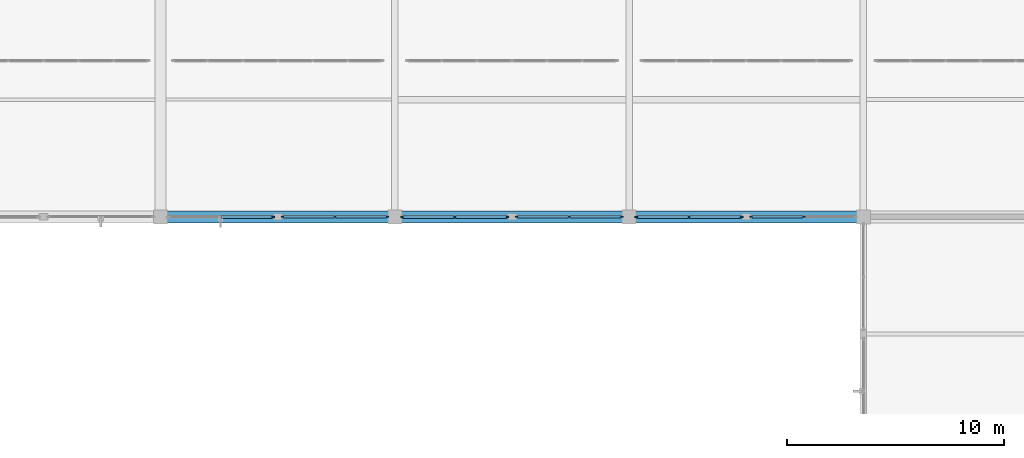
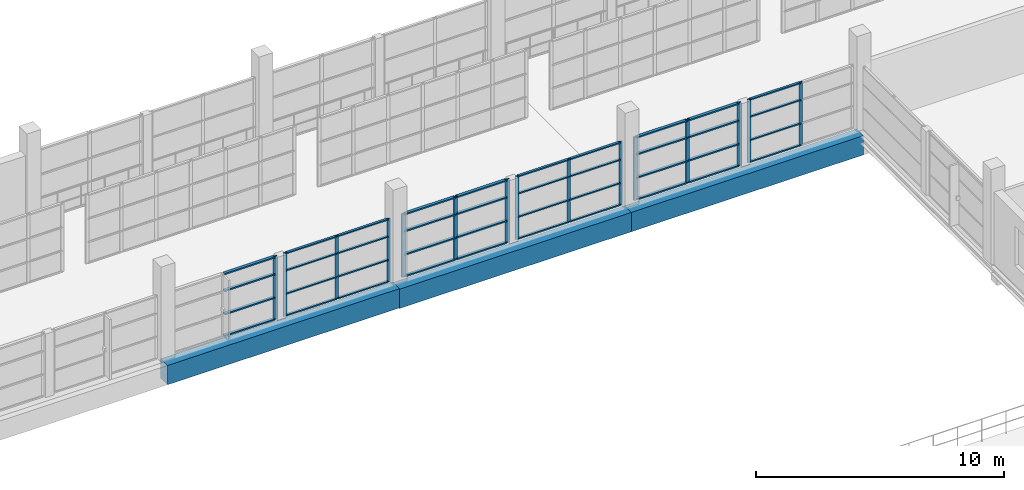
# One storey, part 26 of 142: 55 members, 3 beams, 6 elements without a shape of their own.
"""IFC4 building model written with IfcOpenShell, lengths in metres."""

from ifc_helpers import new_model, si_unit, direction, frame, origin, origin_2d, place, context, subcontext, project, spatial, rectangle, extrude, material, material_profile, profile_set, type_object, element, aggregate, save


model = new_model("IFC4")

# Units and contexts
model_context = context("Model", 3, precision=1e-05, world=origin(), true_north=direction((0.0, 1.0)))
body_context = subcontext(model_context, "Body", "Model", "MODEL_VIEW")
ifc_project = project(units=[si_unit("LENGTHUNIT", "METRE"), si_unit("AREAUNIT", "SQUARE_METRE"), si_unit("VOLUMEUNIT", "CUBIC_METRE"), si_unit("PLANEANGLEUNIT", "RADIAN"), si_unit("MASSUNIT", "GRAM", prefix="KILO")], contexts=[model_context])

# Site, building, storey
site_placement = place(None, origin())
site = spatial("IfcSite", under=ifc_project, at=site_placement, CompositionType="ELEMENT")
building_placement = place(site_placement, origin())
building = spatial("IfcBuilding", under=site, at=building_placement, Name="Zwinboog Wholesale Market", CompositionType="ELEMENT")
storey_placement = place(building_placement, frame((0.0, 0.0, 5.39990234375)))
storey = spatial("IfcBuildingStorey", under=building, at=storey_placement, Name="L01", CompositionType="ELEMENT", Elevation=5.39990234375)

# Beams
ifc_material_1 = material(Name="Precast concrete C45/55", Category="concrete")
ifc_material_profile_1 = material_profile(ifc_material_1, rectangle(XDim=0.550048828125, YDim=0.949951171875, at=origin_2d()), Name="PC 550x950")
ifc_profile_set_1 = profile_set([ifc_material_profile_1], Name="Precast concrete C45/55")
beam_type = type_object("IfcBeamType", Name="BT-02", PredefinedType="BEAM", material=ifc_profile_set_1)
for number, where, z_axis, x_axis, name in (
    (1, (97.199951171875, 43.199951171875, -0.77978515625), (1.0, 0.0, 0.0), (0.0, 1.0, 0.0), "BG-02 (BMG-L01-0972-0432-0468)"),
    (2, (108.0, 43.199951171875, -0.806884765625), (1.0, 0.0, 0.0), (0.0, 1.0, 0.0), "BG-02 (BMG-L01-1080-0432-0469)"),
    (3, (118.800048828125, 43.199951171875, -0.806884765625), (1.0, 0.0, 0.0), (0.0, 1.0, 0.0), "BG-02 (BMG-L01-1188-0432-0470)"),
):
    element("IfcBeam", number, at=place(storey_placement, frame(where, z_axis=z_axis, x_axis=x_axis)), inside=storey, type_object=beam_type, Name=name, PredefinedType="BEAM", context=body_context, shape_type="SweptSolid", body=[
        extrude(rectangle(XDim=0.550048828125, YDim=0.949951171875, at=origin_2d()), origin(), (0.0, 0.0, 1.0), 10.800048828125),
    ])

# Curtain wall, member
ifc_material_2 = material(Name="Aluminium thermally broken curtain wall", Category="aluminium")
curtain_wall_type_1 = type_object("IfcCurtainWallType", Name="CWT-HALL-24", PredefinedType="USERDEFINED", material=ifc_material_2)
curtain_wall_1_placement = place(storey_placement, origin())
curtain_wall_1 = element("IfcCurtainWall", 4, at=curtain_wall_1_placement, inside=storey, type_object=curtain_wall_type_1, Name="CW-03 (CW-L01-099)", ObjectType="UNITIZED_CURTAIN_WALL", PredefinedType="USERDEFINED")
ifc_material_3 = material(Name="Aluminium EN AW-6060", Category="aluminium")
ifc_material_profile_2 = material_profile(ifc_material_3, rectangle(XDim=0.06494140625, YDim=0.179931640625, at=origin_2d()), Name="AL 65x180")
ifc_profile_set_2 = profile_set([ifc_material_profile_2], Name="Aluminium EN AW-6060")
member_type_1 = type_object("IfcMemberType", Name="CWM-65x180", PredefinedType="MULLION", material=ifc_profile_set_2)
member_1_placement = place(storey_placement, frame((102.367431640625, 43.199951171875, 0.0), z_axis=(0.0, 0.0, 1.0), x_axis=(0.0, 1.0, 0.0)))
member_1 = element("IfcMember", 5, at=member_1_placement, type_object=member_type_1, Name="CW-03 mullion 3", PredefinedType="MULLION", context=body_context, shape_type="SweptSolid", body=[
    extrude(rectangle(XDim=0.06494140625, YDim=0.179931640625, at=origin_2d()), origin(), (0.0, 0.0, 1.0), 3.1201171875),
])

# Curtain wall, members
curtain_wall_type_2 = type_object("IfcCurtainWallType", Name="CWT-STALL-18", PredefinedType="USERDEFINED", material=ifc_material_2)
curtain_wall_2_placement = place(storey_placement, origin())
curtain_wall_2 = element("IfcCurtainWall", 6, at=curtain_wall_2_placement, inside=storey, type_object=curtain_wall_type_2, Name="CW-01 (CW-L01-103)", ObjectType="STOREFRONT_GLAZING", PredefinedType="USERDEFINED")
member_2_placement = place(storey_placement, frame((108.3525390625, 43.199951171875, 0.0), z_axis=(0.0, 0.0, 1.0), x_axis=(0.0, 1.0, 0.0)))
member_2 = element("IfcMember", 7, at=member_2_placement, type_object=member_type_1, Name="CW-01 mullion 1", PredefinedType="MULLION", context=body_context, shape_type="SweptSolid", body=[
    extrude(rectangle(XDim=0.06494140625, YDim=0.179931640625, at=origin_2d()), origin(), (0.0, 0.0, 1.0), 3.1201171875),
])
member_3_placement = place(storey_placement, frame((110.760009765625, 43.199951171875, 0.0), z_axis=(0.0, 0.0, 1.0), x_axis=(0.0, 1.0, 0.0)))
member_3 = element("IfcMember", 8, at=member_3_placement, type_object=member_type_1, Name="CW-01 mullion 2", PredefinedType="MULLION", context=body_context, shape_type="SweptSolid", body=[
    extrude(rectangle(XDim=0.06494140625, YDim=0.179931640625, at=origin_2d()), origin(), (0.0, 0.0, 1.0), 3.1201171875),
])
member_4_placement = place(storey_placement, frame((113.16748046875, 43.199951171875, 0.0), z_axis=(0.0, 0.0, 1.0), x_axis=(0.0, 1.0, 0.0)))
member_4 = element("IfcMember", 9, at=member_4_placement, type_object=member_type_1, Name="CW-01 mullion 3", PredefinedType="MULLION", context=body_context, shape_type="SweptSolid", body=[
    extrude(rectangle(XDim=0.06494140625, YDim=0.179931640625, at=origin_2d()), origin(), (0.0, 0.0, 1.0), 3.1201171875),
])

curtain_wall_3_placement = place(storey_placement, origin())
curtain_wall_3 = element("IfcCurtainWall", 10, at=curtain_wall_3_placement, inside=storey, type_object=curtain_wall_type_2, Name="CW-01 (CW-L01-109)", ObjectType="STOREFRONT_GLAZING", PredefinedType="USERDEFINED")
member_5_placement = place(storey_placement, frame((119.152587890625, 43.199951171875, 0.0), z_axis=(0.0, 0.0, 1.0), x_axis=(0.0, 1.0, 0.0)))
member_5 = element("IfcMember", 11, at=member_5_placement, type_object=member_type_1, Name="CW-01 mullion 1", PredefinedType="MULLION", context=body_context, shape_type="SweptSolid", body=[
    extrude(rectangle(XDim=0.06494140625, YDim=0.179931640625, at=origin_2d()), origin(), (0.0, 0.0, 1.0), 3.1201171875),
])
member_6_placement = place(storey_placement, frame((121.56005859375, 43.199951171875, 0.0), z_axis=(0.0, 0.0, 1.0), x_axis=(0.0, 1.0, 0.0)))
member_6 = element("IfcMember", 12, at=member_6_placement, type_object=member_type_1, Name="CW-01 mullion 2", PredefinedType="MULLION", context=body_context, shape_type="SweptSolid", body=[
    extrude(rectangle(XDim=0.06494140625, YDim=0.179931640625, at=origin_2d()), origin(), (0.0, 0.0, 1.0), 3.1201171875),
])
member_7_placement = place(storey_placement, frame((123.967529296875, 43.199951171875, 0.0), z_axis=(0.0, 0.0, 1.0), x_axis=(0.0, 1.0, 0.0)))
member_7 = element("IfcMember", 13, at=member_7_placement, type_object=member_type_1, Name="CW-01 mullion 3", PredefinedType="MULLION", context=body_context, shape_type="SweptSolid", body=[
    extrude(rectangle(XDim=0.06494140625, YDim=0.179931640625, at=origin_2d()), origin(), (0.0, 0.0, 1.0), 3.1201171875),
])

curtain_wall_type_3 = type_object("IfcCurtainWallType", Name="CWT-GAL-16", PredefinedType="USERDEFINED", material=ifc_material_2)
curtain_wall_4_placement = place(storey_placement, origin())
curtain_wall_4 = element("IfcCurtainWall", 14, at=curtain_wall_4_placement, inside=storey, type_object=curtain_wall_type_3, Name="CW-04 (CW-L01-100)", ObjectType="UNITIZED_CURTAIN_WALL", PredefinedType="USERDEFINED")
ifc_material_profile_3 = material_profile(ifc_material_3, rectangle(XDim=0.06005859375, YDim=0.14990234375, at=origin_2d()), Name="AL 60x150")
ifc_profile_set_3 = profile_set([ifc_material_profile_3], Name="Aluminium EN AW-6060")
member_type_2 = type_object("IfcMemberType", Name="CWM-60x150", PredefinedType="MULLION", material=ifc_profile_set_3)
member_8_placement = place(storey_placement, frame((102.830078125, 43.199951171875, 0.0), z_axis=(0.0, 0.0, 1.0), x_axis=(0.0, 1.0, 0.0)))
member_8 = element("IfcMember", 15, at=member_8_placement, type_object=member_type_2, Name="CW-04 mullion 1", PredefinedType="MULLION", context=body_context, shape_type="SweptSolid", body=[
    extrude(rectangle(XDim=0.06005859375, YDim=0.14990234375, at=origin_2d()), origin(), (0.0, 0.0, 1.0), 3.1201171875),
])
member_9_placement = place(storey_placement, frame((105.239990234375, 43.199951171875, 0.0), z_axis=(0.0, 0.0, 1.0), x_axis=(0.0, 1.0, 0.0)))
member_9 = element("IfcMember", 16, at=member_9_placement, type_object=member_type_2, Name="CW-04 mullion 2", PredefinedType="MULLION", context=body_context, shape_type="SweptSolid", body=[
    extrude(rectangle(XDim=0.06005859375, YDim=0.14990234375, at=origin_2d()), origin(), (0.0, 0.0, 1.0), 3.1201171875),
])
member_10_placement = place(storey_placement, frame((107.64990234375, 43.199951171875, 0.0), z_axis=(0.0, 0.0, 1.0), x_axis=(0.0, 1.0, 0.0)))
member_10 = element("IfcMember", 17, at=member_10_placement, type_object=member_type_2, Name="CW-04 mullion 3", PredefinedType="MULLION", context=body_context, shape_type="SweptSolid", body=[
    extrude(rectangle(XDim=0.06005859375, YDim=0.14990234375, at=origin_2d()), origin(), (0.0, 0.0, 1.0), 3.1201171875),
])

curtain_wall_type_4 = type_object("IfcCurtainWallType", Name="CWT-STALL-20", PredefinedType="USERDEFINED", material=ifc_material_2)
curtain_wall_5_placement = place(storey_placement, origin())
curtain_wall_5 = element("IfcCurtainWall", 18, at=curtain_wall_5_placement, inside=storey, type_object=curtain_wall_type_4, Name="CW-02 (CW-L01-104)", ObjectType="STOREFRONT_GLAZING", PredefinedType="USERDEFINED")
member_11_placement = place(storey_placement, frame((113.6298828125, 43.199951171875, 0.0), z_axis=(0.0, 0.0, 1.0), x_axis=(0.0, 1.0, 0.0)))
member_11 = element("IfcMember", 19, at=member_11_placement, type_object=member_type_2, Name="CW-02 mullion 1", PredefinedType="MULLION", context=body_context, shape_type="SweptSolid", body=[
    extrude(rectangle(XDim=0.06005859375, YDim=0.14990234375, at=origin_2d()), origin(), (0.0, 0.0, 1.0), 3.1201171875),
])
member_12_placement = place(storey_placement, frame((116.0400390625, 43.199951171875, 0.0), z_axis=(0.0, 0.0, 1.0), x_axis=(0.0, 1.0, 0.0)))
member_12 = element("IfcMember", 20, at=member_12_placement, type_object=member_type_2, Name="CW-02 mullion 2", PredefinedType="MULLION", context=body_context, shape_type="SweptSolid", body=[
    extrude(rectangle(XDim=0.06005859375, YDim=0.14990234375, at=origin_2d()), origin(), (0.0, 0.0, 1.0), 3.1201171875),
])
member_13_placement = place(storey_placement, frame((118.449951171875, 43.199951171875, 0.0), z_axis=(0.0, 0.0, 1.0), x_axis=(0.0, 1.0, 0.0)))
member_13 = element("IfcMember", 21, at=member_13_placement, type_object=member_type_2, Name="CW-02 mullion 3", PredefinedType="MULLION", context=body_context, shape_type="SweptSolid", body=[
    extrude(rectangle(XDim=0.06005859375, YDim=0.14990234375, at=origin_2d()), origin(), (0.0, 0.0, 1.0), 3.1201171875),
])

curtain_wall_6_placement = place(storey_placement, origin())
curtain_wall_6 = element("IfcCurtainWall", 22, at=curtain_wall_6_placement, inside=storey, type_object=curtain_wall_type_4, Name="CW-02 (CW-L01-110)", ObjectType="STOREFRONT_GLAZING", PredefinedType="USERDEFINED")
member_14_placement = place(storey_placement, frame((124.429931640625, 43.199951171875, 0.0), z_axis=(0.0, 0.0, 1.0), x_axis=(0.0, 1.0, 0.0)))
member_14 = element("IfcMember", 23, at=member_14_placement, type_object=member_type_2, Name="CW-02 mullion 1", PredefinedType="MULLION", context=body_context, shape_type="SweptSolid", body=[
    extrude(rectangle(XDim=0.06005859375, YDim=0.14990234375, at=origin_2d()), origin(), (0.0, 0.0, 1.0), 3.1201171875),
])
member_15_placement = place(storey_placement, frame((126.840087890625, 43.199951171875, 0.0), z_axis=(0.0, 0.0, 1.0), x_axis=(0.0, 1.0, 0.0)))
member_15 = element("IfcMember", 24, at=member_15_placement, type_object=member_type_2, Name="CW-02 mullion 2", PredefinedType="MULLION", context=body_context, shape_type="SweptSolid", body=[
    extrude(rectangle(XDim=0.06005859375, YDim=0.14990234375, at=origin_2d()), origin(), (0.0, 0.0, 1.0), 3.1201171875),
])

# Member
ifc_material_profile_4 = material_profile(ifc_material_3, rectangle(XDim=0.139892578125, YDim=0.06494140625, at=origin_2d()), Name="AL 65x140")
ifc_profile_set_4 = profile_set([ifc_material_profile_4], Name="Aluminium EN AW-6060")
member_type_3 = type_object("IfcMemberType", Name="CWT-65x140", PredefinedType="USERDEFINED", material=ifc_profile_set_4)
member_16_placement = place(storey_placement, frame((99.992431640625, 43.199951171875, 0.03271484375), z_axis=(1.0, 0.0, 0.0), x_axis=(0.0, 1.0, 0.0)))
member_16 = element("IfcMember", 25, at=member_16_placement, type_object=member_type_3, Name="CW-03 transom 2.1", ObjectType="TRANSOM", PredefinedType="USERDEFINED", context=body_context, shape_type="SweptSolid", body=[
    extrude(rectangle(XDim=0.139892578125, YDim=0.06494140625, at=origin_2d()), origin(), (0.0, 0.0, 1.0), 2.342529296875),
])

member_17_placement = place(storey_placement, frame((99.992431640625, 43.199951171875, 1.10009765625), z_axis=(1.0, 0.0, 0.0), x_axis=(0.0, 1.0, 0.0)))
member_17 = element("IfcMember", 26, at=member_17_placement, type_object=member_type_3, Name="CW-03 transom 2.2", ObjectType="TRANSOM", PredefinedType="USERDEFINED", context=body_context, shape_type="SweptSolid", body=[
    extrude(rectangle(XDim=0.139892578125, YDim=0.06494140625, at=origin_2d()), origin(), (0.0, 0.0, 1.0), 2.342529296875),
])

member_18_placement = place(storey_placement, frame((99.992431640625, 43.199951171875, 2.25), z_axis=(1.0, 0.0, 0.0), x_axis=(0.0, 1.0, 0.0)))
member_18 = element("IfcMember", 27, at=member_18_placement, type_object=member_type_3, Name="CW-03 transom 2.3", ObjectType="TRANSOM", PredefinedType="USERDEFINED", context=body_context, shape_type="SweptSolid", body=[
    extrude(rectangle(XDim=0.139892578125, YDim=0.06494140625, at=origin_2d()), origin(), (0.0, 0.0, 1.0), 2.342529296875),
])

member_19_placement = place(storey_placement, frame((99.992431640625, 43.199951171875, 3.087646484375), z_axis=(1.0, 0.0, 0.0), x_axis=(0.0, 1.0, 0.0)))
member_19 = element("IfcMember", 28, at=member_19_placement, type_object=member_type_3, Name="CW-03 transom 2.4", ObjectType="TRANSOM", PredefinedType="USERDEFINED", context=body_context, shape_type="SweptSolid", body=[
    extrude(rectangle(XDim=0.139892578125, YDim=0.06494140625, at=origin_2d()), origin(), (0.0, 0.0, 1.0), 2.342529296875),
])

aggregate(curtain_wall_1, [member_1, member_16, member_17, member_18, member_19])

member_20_placement = place(storey_placement, frame((108.385009765625, 43.199951171875, 0.03271484375), z_axis=(1.0, 0.0, 0.0), x_axis=(0.0, 1.0, 0.0)))
member_20 = element("IfcMember", 29, at=member_20_placement, type_object=member_type_3, Name="CW-01 transom 1.1", ObjectType="TRANSOM", PredefinedType="USERDEFINED", context=body_context, shape_type="SweptSolid", body=[
    extrude(rectangle(XDim=0.139892578125, YDim=0.06494140625, at=origin_2d()), origin(), (0.0, 0.0, 1.0), 2.342529296875),
])

member_21_placement = place(storey_placement, frame((108.385009765625, 43.199951171875, 1.10009765625), z_axis=(1.0, 0.0, 0.0), x_axis=(0.0, 1.0, 0.0)))
member_21 = element("IfcMember", 30, at=member_21_placement, type_object=member_type_3, Name="CW-01 transom 1.2", ObjectType="TRANSOM", PredefinedType="USERDEFINED", context=body_context, shape_type="SweptSolid", body=[
    extrude(rectangle(XDim=0.139892578125, YDim=0.06494140625, at=origin_2d()), origin(), (0.0, 0.0, 1.0), 2.342529296875),
])

member_22_placement = place(storey_placement, frame((108.385009765625, 43.199951171875, 2.25), z_axis=(1.0, 0.0, 0.0), x_axis=(0.0, 1.0, 0.0)))
member_22 = element("IfcMember", 31, at=member_22_placement, type_object=member_type_3, Name="CW-01 transom 1.3", ObjectType="TRANSOM", PredefinedType="USERDEFINED", context=body_context, shape_type="SweptSolid", body=[
    extrude(rectangle(XDim=0.139892578125, YDim=0.06494140625, at=origin_2d()), origin(), (0.0, 0.0, 1.0), 2.342529296875),
])

member_23_placement = place(storey_placement, frame((108.385009765625, 43.199951171875, 3.087646484375), z_axis=(1.0, 0.0, 0.0), x_axis=(0.0, 1.0, 0.0)))
member_23 = element("IfcMember", 32, at=member_23_placement, type_object=member_type_3, Name="CW-01 transom 1.4", ObjectType="TRANSOM", PredefinedType="USERDEFINED", context=body_context, shape_type="SweptSolid", body=[
    extrude(rectangle(XDim=0.139892578125, YDim=0.06494140625, at=origin_2d()), origin(), (0.0, 0.0, 1.0), 2.342529296875),
])

member_24_placement = place(storey_placement, frame((110.79248046875, 43.199951171875, 0.03271484375), z_axis=(1.0, 0.0, 0.0), x_axis=(0.0, 1.0, 0.0)))
member_24 = element("IfcMember", 33, at=member_24_placement, type_object=member_type_3, Name="CW-01 transom 2.1", ObjectType="TRANSOM", PredefinedType="USERDEFINED", context=body_context, shape_type="SweptSolid", body=[
    extrude(rectangle(XDim=0.139892578125, YDim=0.06494140625, at=origin_2d()), origin(), (0.0, 0.0, 1.0), 2.342529296875),
])

member_25_placement = place(storey_placement, frame((110.79248046875, 43.199951171875, 1.10009765625), z_axis=(1.0, 0.0, 0.0), x_axis=(0.0, 1.0, 0.0)))
member_25 = element("IfcMember", 34, at=member_25_placement, type_object=member_type_3, Name="CW-01 transom 2.2", ObjectType="TRANSOM", PredefinedType="USERDEFINED", context=body_context, shape_type="SweptSolid", body=[
    extrude(rectangle(XDim=0.139892578125, YDim=0.06494140625, at=origin_2d()), origin(), (0.0, 0.0, 1.0), 2.342529296875),
])

member_26_placement = place(storey_placement, frame((110.79248046875, 43.199951171875, 2.25), z_axis=(1.0, 0.0, 0.0), x_axis=(0.0, 1.0, 0.0)))
member_26 = element("IfcMember", 35, at=member_26_placement, type_object=member_type_3, Name="CW-01 transom 2.3", ObjectType="TRANSOM", PredefinedType="USERDEFINED", context=body_context, shape_type="SweptSolid", body=[
    extrude(rectangle(XDim=0.139892578125, YDim=0.06494140625, at=origin_2d()), origin(), (0.0, 0.0, 1.0), 2.342529296875),
])

member_27_placement = place(storey_placement, frame((110.79248046875, 43.199951171875, 3.087646484375), z_axis=(1.0, 0.0, 0.0), x_axis=(0.0, 1.0, 0.0)))
member_27 = element("IfcMember", 36, at=member_27_placement, type_object=member_type_3, Name="CW-01 transom 2.4", ObjectType="TRANSOM", PredefinedType="USERDEFINED", context=body_context, shape_type="SweptSolid", body=[
    extrude(rectangle(XDim=0.139892578125, YDim=0.06494140625, at=origin_2d()), origin(), (0.0, 0.0, 1.0), 2.342529296875),
])

aggregate(curtain_wall_2, [member_2, member_3, member_4, member_20, member_21, member_22, member_23, member_24, member_25, member_26, member_27])

member_28_placement = place(storey_placement, frame((119.18505859375, 43.199951171875, 0.03271484375), z_axis=(1.0, 0.0, 0.0), x_axis=(0.0, 1.0, 0.0)))
member_28 = element("IfcMember", 37, at=member_28_placement, type_object=member_type_3, Name="CW-01 transom 1.1", ObjectType="TRANSOM", PredefinedType="USERDEFINED", context=body_context, shape_type="SweptSolid", body=[
    extrude(rectangle(XDim=0.139892578125, YDim=0.06494140625, at=origin_2d()), origin(), (0.0, 0.0, 1.0), 2.342529296875),
])

member_29_placement = place(storey_placement, frame((119.18505859375, 43.199951171875, 1.10009765625), z_axis=(1.0, 0.0, 0.0), x_axis=(0.0, 1.0, 0.0)))
member_29 = element("IfcMember", 38, at=member_29_placement, type_object=member_type_3, Name="CW-01 transom 1.2", ObjectType="TRANSOM", PredefinedType="USERDEFINED", context=body_context, shape_type="SweptSolid", body=[
    extrude(rectangle(XDim=0.139892578125, YDim=0.06494140625, at=origin_2d()), origin(), (0.0, 0.0, 1.0), 2.342529296875),
])

member_30_placement = place(storey_placement, frame((119.18505859375, 43.199951171875, 2.25), z_axis=(1.0, 0.0, 0.0), x_axis=(0.0, 1.0, 0.0)))
member_30 = element("IfcMember", 39, at=member_30_placement, type_object=member_type_3, Name="CW-01 transom 1.3", ObjectType="TRANSOM", PredefinedType="USERDEFINED", context=body_context, shape_type="SweptSolid", body=[
    extrude(rectangle(XDim=0.139892578125, YDim=0.06494140625, at=origin_2d()), origin(), (0.0, 0.0, 1.0), 2.342529296875),
])

member_31_placement = place(storey_placement, frame((119.18505859375, 43.199951171875, 3.087646484375), z_axis=(1.0, 0.0, 0.0), x_axis=(0.0, 1.0, 0.0)))
member_31 = element("IfcMember", 40, at=member_31_placement, type_object=member_type_3, Name="CW-01 transom 1.4", ObjectType="TRANSOM", PredefinedType="USERDEFINED", context=body_context, shape_type="SweptSolid", body=[
    extrude(rectangle(XDim=0.139892578125, YDim=0.06494140625, at=origin_2d()), origin(), (0.0, 0.0, 1.0), 2.342529296875),
])

member_32_placement = place(storey_placement, frame((121.592529296875, 43.199951171875, 0.03271484375), z_axis=(1.0, 0.0, 0.0), x_axis=(0.0, 1.0, 0.0)))
member_32 = element("IfcMember", 41, at=member_32_placement, type_object=member_type_3, Name="CW-01 transom 2.1", ObjectType="TRANSOM", PredefinedType="USERDEFINED", context=body_context, shape_type="SweptSolid", body=[
    extrude(rectangle(XDim=0.139892578125, YDim=0.06494140625, at=origin_2d()), origin(), (0.0, 0.0, 1.0), 2.342529296875),
])

member_33_placement = place(storey_placement, frame((121.592529296875, 43.199951171875, 1.10009765625), z_axis=(1.0, 0.0, 0.0), x_axis=(0.0, 1.0, 0.0)))
member_33 = element("IfcMember", 42, at=member_33_placement, type_object=member_type_3, Name="CW-01 transom 2.2", ObjectType="TRANSOM", PredefinedType="USERDEFINED", context=body_context, shape_type="SweptSolid", body=[
    extrude(rectangle(XDim=0.139892578125, YDim=0.06494140625, at=origin_2d()), origin(), (0.0, 0.0, 1.0), 2.342529296875),
])

member_34_placement = place(storey_placement, frame((121.592529296875, 43.199951171875, 2.25), z_axis=(1.0, 0.0, 0.0), x_axis=(0.0, 1.0, 0.0)))
member_34 = element("IfcMember", 43, at=member_34_placement, type_object=member_type_3, Name="CW-01 transom 2.3", ObjectType="TRANSOM", PredefinedType="USERDEFINED", context=body_context, shape_type="SweptSolid", body=[
    extrude(rectangle(XDim=0.139892578125, YDim=0.06494140625, at=origin_2d()), origin(), (0.0, 0.0, 1.0), 2.342529296875),
])

member_35_placement = place(storey_placement, frame((121.592529296875, 43.199951171875, 3.087646484375), z_axis=(1.0, 0.0, 0.0), x_axis=(0.0, 1.0, 0.0)))
member_35 = element("IfcMember", 44, at=member_35_placement, type_object=member_type_3, Name="CW-01 transom 2.4", ObjectType="TRANSOM", PredefinedType="USERDEFINED", context=body_context, shape_type="SweptSolid", body=[
    extrude(rectangle(XDim=0.139892578125, YDim=0.06494140625, at=origin_2d()), origin(), (0.0, 0.0, 1.0), 2.342529296875),
])

aggregate(curtain_wall_3, [member_5, member_6, member_7, member_28, member_29, member_30, member_31, member_32, member_33, member_34, member_35])

ifc_material_profile_5 = material_profile(ifc_material_3, rectangle(XDim=0.110107421875, YDim=0.06005859375, at=origin_2d()), Name="AL 60x110")
ifc_profile_set_5 = profile_set([ifc_material_profile_5], Name="Aluminium EN AW-6060")
member_type_4 = type_object("IfcMemberType", Name="CWT-60x110", PredefinedType="USERDEFINED", material=ifc_profile_set_5)
member_36_placement = place(storey_placement, frame((102.860107421875, 43.199951171875, 0.030029296875), z_axis=(1.0, 0.0, 0.0), x_axis=(0.0, 1.0, 0.0)))
member_36 = element("IfcMember", 45, at=member_36_placement, type_object=member_type_4, Name="CW-04 transom 1.1", ObjectType="TRANSOM", PredefinedType="USERDEFINED", context=body_context, shape_type="SweptSolid", body=[
    extrude(rectangle(XDim=0.110107421875, YDim=0.06005859375, at=origin_2d()), origin(), (0.0, 0.0, 1.0), 2.349853515625),
])

member_37_placement = place(storey_placement, frame((102.860107421875, 43.199951171875, 1.10009765625), z_axis=(1.0, 0.0, 0.0), x_axis=(0.0, 1.0, 0.0)))
member_37 = element("IfcMember", 46, at=member_37_placement, type_object=member_type_4, Name="CW-04 transom 1.2", ObjectType="TRANSOM", PredefinedType="USERDEFINED", context=body_context, shape_type="SweptSolid", body=[
    extrude(rectangle(XDim=0.110107421875, YDim=0.06005859375, at=origin_2d()), origin(), (0.0, 0.0, 1.0), 2.349853515625),
])

member_38_placement = place(storey_placement, frame((102.860107421875, 43.199951171875, 2.25), z_axis=(1.0, 0.0, 0.0), x_axis=(0.0, 1.0, 0.0)))
member_38 = element("IfcMember", 47, at=member_38_placement, type_object=member_type_4, Name="CW-04 transom 1.3", ObjectType="TRANSOM", PredefinedType="USERDEFINED", context=body_context, shape_type="SweptSolid", body=[
    extrude(rectangle(XDim=0.110107421875, YDim=0.06005859375, at=origin_2d()), origin(), (0.0, 0.0, 1.0), 2.349853515625),
])

member_39_placement = place(storey_placement, frame((102.860107421875, 43.199951171875, 3.090087890625), z_axis=(1.0, 0.0, 0.0), x_axis=(0.0, 1.0, 0.0)))
member_39 = element("IfcMember", 48, at=member_39_placement, type_object=member_type_4, Name="CW-04 transom 1.4", ObjectType="TRANSOM", PredefinedType="USERDEFINED", context=body_context, shape_type="SweptSolid", body=[
    extrude(rectangle(XDim=0.110107421875, YDim=0.06005859375, at=origin_2d()), origin(), (0.0, 0.0, 1.0), 2.349853515625),
])

member_40_placement = place(storey_placement, frame((105.27001953125, 43.199951171875, 0.030029296875), z_axis=(1.0, 0.0, 0.0), x_axis=(0.0, 1.0, 0.0)))
member_40 = element("IfcMember", 49, at=member_40_placement, type_object=member_type_4, Name="CW-04 transom 2.1", ObjectType="TRANSOM", PredefinedType="USERDEFINED", context=body_context, shape_type="SweptSolid", body=[
    extrude(rectangle(XDim=0.110107421875, YDim=0.06005859375, at=origin_2d()), origin(), (0.0, 0.0, 1.0), 2.35009765625),
])

member_41_placement = place(storey_placement, frame((105.27001953125, 43.199951171875, 1.10009765625), z_axis=(1.0, 0.0, 0.0), x_axis=(0.0, 1.0, 0.0)))
member_41 = element("IfcMember", 50, at=member_41_placement, type_object=member_type_4, Name="CW-04 transom 2.2", ObjectType="TRANSOM", PredefinedType="USERDEFINED", context=body_context, shape_type="SweptSolid", body=[
    extrude(rectangle(XDim=0.110107421875, YDim=0.06005859375, at=origin_2d()), origin(), (0.0, 0.0, 1.0), 2.35009765625),
])

member_42_placement = place(storey_placement, frame((105.27001953125, 43.199951171875, 2.25), z_axis=(1.0, 0.0, 0.0), x_axis=(0.0, 1.0, 0.0)))
member_42 = element("IfcMember", 51, at=member_42_placement, type_object=member_type_4, Name="CW-04 transom 2.3", ObjectType="TRANSOM", PredefinedType="USERDEFINED", context=body_context, shape_type="SweptSolid", body=[
    extrude(rectangle(XDim=0.110107421875, YDim=0.06005859375, at=origin_2d()), origin(), (0.0, 0.0, 1.0), 2.35009765625),
])

member_43_placement = place(storey_placement, frame((105.27001953125, 43.199951171875, 3.090087890625), z_axis=(1.0, 0.0, 0.0), x_axis=(0.0, 1.0, 0.0)))
member_43 = element("IfcMember", 52, at=member_43_placement, type_object=member_type_4, Name="CW-04 transom 2.4", ObjectType="TRANSOM", PredefinedType="USERDEFINED", context=body_context, shape_type="SweptSolid", body=[
    extrude(rectangle(XDim=0.110107421875, YDim=0.06005859375, at=origin_2d()), origin(), (0.0, 0.0, 1.0), 2.35009765625),
])

aggregate(curtain_wall_4, [member_8, member_9, member_10, member_36, member_37, member_38, member_39, member_40, member_41, member_42, member_43])

member_44_placement = place(storey_placement, frame((113.659912109375, 43.199951171875, 0.030029296875), z_axis=(1.0, 0.0, 0.0), x_axis=(0.0, 1.0, 0.0)))
member_44 = element("IfcMember", 53, at=member_44_placement, type_object=member_type_4, Name="CW-02 transom 1.1", ObjectType="TRANSOM", PredefinedType="USERDEFINED", context=body_context, shape_type="SweptSolid", body=[
    extrude(rectangle(XDim=0.110107421875, YDim=0.06005859375, at=origin_2d()), origin(), (0.0, 0.0, 1.0), 2.35009765625),
])

member_45_placement = place(storey_placement, frame((113.659912109375, 43.199951171875, 1.10009765625), z_axis=(1.0, 0.0, 0.0), x_axis=(0.0, 1.0, 0.0)))
member_45 = element("IfcMember", 54, at=member_45_placement, type_object=member_type_4, Name="CW-02 transom 1.2", ObjectType="TRANSOM", PredefinedType="USERDEFINED", context=body_context, shape_type="SweptSolid", body=[
    extrude(rectangle(XDim=0.110107421875, YDim=0.06005859375, at=origin_2d()), origin(), (0.0, 0.0, 1.0), 2.35009765625),
])

member_46_placement = place(storey_placement, frame((113.659912109375, 43.199951171875, 2.25), z_axis=(1.0, 0.0, 0.0), x_axis=(0.0, 1.0, 0.0)))
member_46 = element("IfcMember", 55, at=member_46_placement, type_object=member_type_4, Name="CW-02 transom 1.3", ObjectType="TRANSOM", PredefinedType="USERDEFINED", context=body_context, shape_type="SweptSolid", body=[
    extrude(rectangle(XDim=0.110107421875, YDim=0.06005859375, at=origin_2d()), origin(), (0.0, 0.0, 1.0), 2.35009765625),
])

member_47_placement = place(storey_placement, frame((113.659912109375, 43.199951171875, 3.090087890625), z_axis=(1.0, 0.0, 0.0), x_axis=(0.0, 1.0, 0.0)))
member_47 = element("IfcMember", 56, at=member_47_placement, type_object=member_type_4, Name="CW-02 transom 1.4", ObjectType="TRANSOM", PredefinedType="USERDEFINED", context=body_context, shape_type="SweptSolid", body=[
    extrude(rectangle(XDim=0.110107421875, YDim=0.06005859375, at=origin_2d()), origin(), (0.0, 0.0, 1.0), 2.35009765625),
])

member_48_placement = place(storey_placement, frame((116.070068359375, 43.199951171875, 0.030029296875), z_axis=(1.0, 0.0, 0.0), x_axis=(0.0, 1.0, 0.0)))
member_48 = element("IfcMember", 57, at=member_48_placement, type_object=member_type_4, Name="CW-02 transom 2.1", ObjectType="TRANSOM", PredefinedType="USERDEFINED", context=body_context, shape_type="SweptSolid", body=[
    extrude(rectangle(XDim=0.110107421875, YDim=0.06005859375, at=origin_2d()), origin(), (0.0, 0.0, 1.0), 2.349853515625),
])

member_49_placement = place(storey_placement, frame((116.070068359375, 43.199951171875, 1.10009765625), z_axis=(1.0, 0.0, 0.0), x_axis=(0.0, 1.0, 0.0)))
member_49 = element("IfcMember", 58, at=member_49_placement, type_object=member_type_4, Name="CW-02 transom 2.2", ObjectType="TRANSOM", PredefinedType="USERDEFINED", context=body_context, shape_type="SweptSolid", body=[
    extrude(rectangle(XDim=0.110107421875, YDim=0.06005859375, at=origin_2d()), origin(), (0.0, 0.0, 1.0), 2.349853515625),
])

member_50_placement = place(storey_placement, frame((116.070068359375, 43.199951171875, 2.25), z_axis=(1.0, 0.0, 0.0), x_axis=(0.0, 1.0, 0.0)))
member_50 = element("IfcMember", 59, at=member_50_placement, type_object=member_type_4, Name="CW-02 transom 2.3", ObjectType="TRANSOM", PredefinedType="USERDEFINED", context=body_context, shape_type="SweptSolid", body=[
    extrude(rectangle(XDim=0.110107421875, YDim=0.06005859375, at=origin_2d()), origin(), (0.0, 0.0, 1.0), 2.349853515625),
])

member_51_placement = place(storey_placement, frame((116.070068359375, 43.199951171875, 3.090087890625), z_axis=(1.0, 0.0, 0.0), x_axis=(0.0, 1.0, 0.0)))
member_51 = element("IfcMember", 60, at=member_51_placement, type_object=member_type_4, Name="CW-02 transom 2.4", ObjectType="TRANSOM", PredefinedType="USERDEFINED", context=body_context, shape_type="SweptSolid", body=[
    extrude(rectangle(XDim=0.110107421875, YDim=0.06005859375, at=origin_2d()), origin(), (0.0, 0.0, 1.0), 2.349853515625),
])

aggregate(curtain_wall_5, [member_11, member_12, member_13, member_44, member_45, member_46, member_47, member_48, member_49, member_50, member_51])

member_52_placement = place(storey_placement, frame((124.4599609375, 43.199951171875, 0.030029296875), z_axis=(1.0, 0.0, 0.0), x_axis=(0.0, 1.0, 0.0)))
member_52 = element("IfcMember", 61, at=member_52_placement, type_object=member_type_4, Name="CW-02 transom 1.1", ObjectType="TRANSOM", PredefinedType="USERDEFINED", context=body_context, shape_type="SweptSolid", body=[
    extrude(rectangle(XDim=0.110107421875, YDim=0.06005859375, at=origin_2d()), origin(), (0.0, 0.0, 1.0), 2.35009765625),
])

member_53_placement = place(storey_placement, frame((124.4599609375, 43.199951171875, 1.10009765625), z_axis=(1.0, 0.0, 0.0), x_axis=(0.0, 1.0, 0.0)))
member_53 = element("IfcMember", 62, at=member_53_placement, type_object=member_type_4, Name="CW-02 transom 1.2", ObjectType="TRANSOM", PredefinedType="USERDEFINED", context=body_context, shape_type="SweptSolid", body=[
    extrude(rectangle(XDim=0.110107421875, YDim=0.06005859375, at=origin_2d()), origin(), (0.0, 0.0, 1.0), 2.35009765625),
])

member_54_placement = place(storey_placement, frame((124.4599609375, 43.199951171875, 2.25), z_axis=(1.0, 0.0, 0.0), x_axis=(0.0, 1.0, 0.0)))
member_54 = element("IfcMember", 63, at=member_54_placement, type_object=member_type_4, Name="CW-02 transom 1.3", ObjectType="TRANSOM", PredefinedType="USERDEFINED", context=body_context, shape_type="SweptSolid", body=[
    extrude(rectangle(XDim=0.110107421875, YDim=0.06005859375, at=origin_2d()), origin(), (0.0, 0.0, 1.0), 2.35009765625),
])

member_55_placement = place(storey_placement, frame((124.4599609375, 43.199951171875, 3.090087890625), z_axis=(1.0, 0.0, 0.0), x_axis=(0.0, 1.0, 0.0)))
member_55 = element("IfcMember", 64, at=member_55_placement, type_object=member_type_4, Name="CW-02 transom 1.4", ObjectType="TRANSOM", PredefinedType="USERDEFINED", context=body_context, shape_type="SweptSolid", body=[
    extrude(rectangle(XDim=0.110107421875, YDim=0.06005859375, at=origin_2d()), origin(), (0.0, 0.0, 1.0), 2.35009765625),
])

aggregate(curtain_wall_6, [member_14, member_15, member_52, member_53, member_54, member_55])

save(model, "model.ifc")
